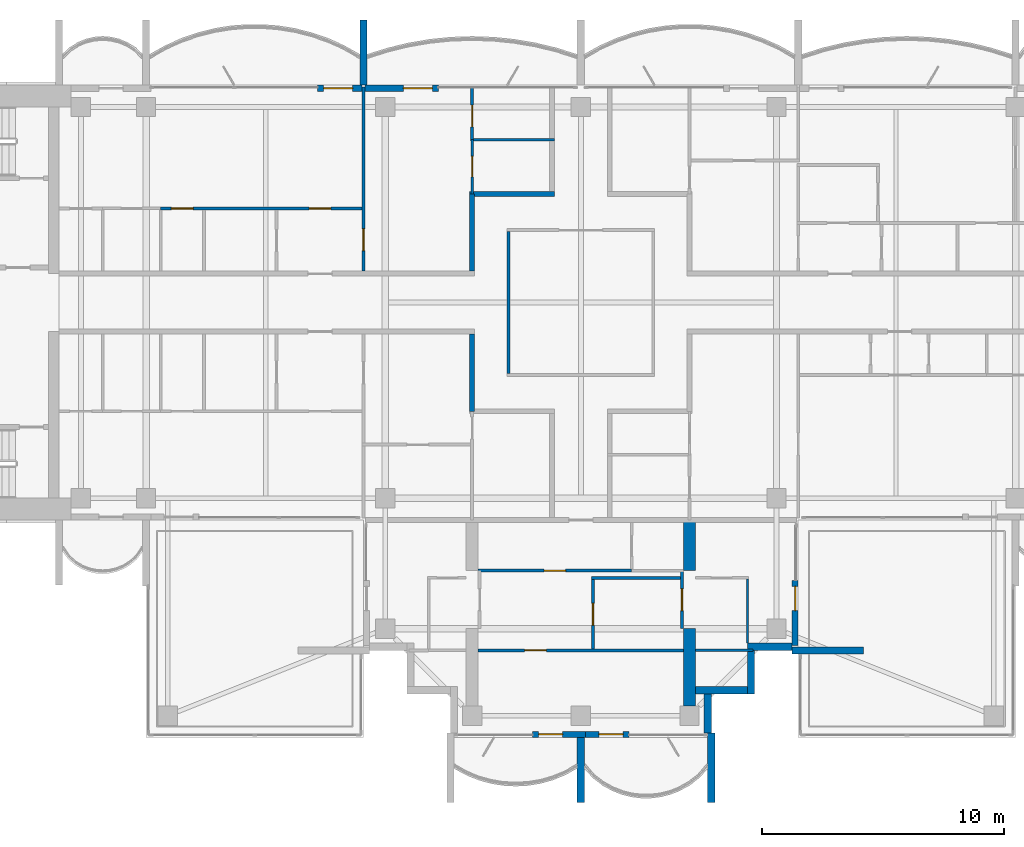
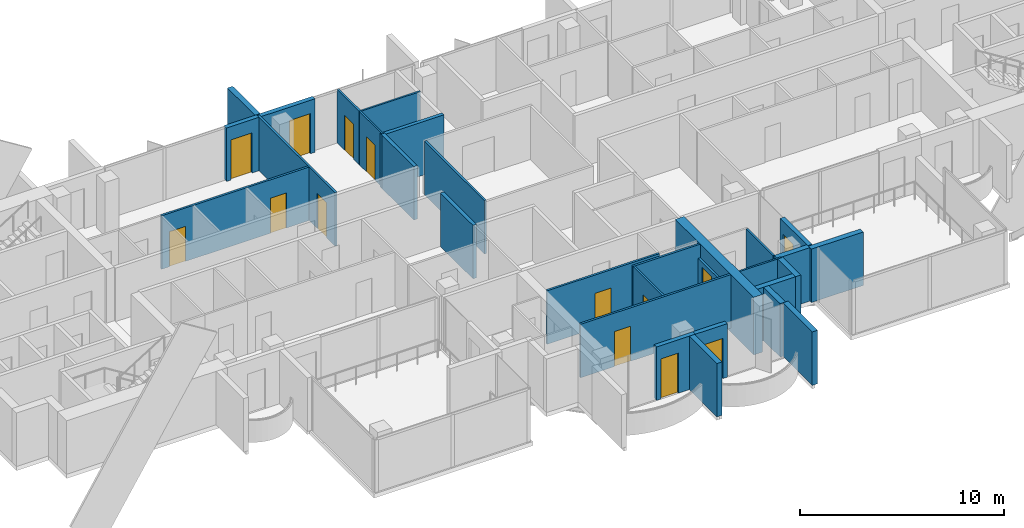
# One storey, part 10 of 18: 30 walls, 14 doors, 14 openings.
"""IFC4 building model written with IfcOpenShell, lengths in metres."""

from ifc_helpers import new_model, si_unit, direction, frame, frame_2d, origin, place, context, subcontext, project, spatial, polyline, rectangle, outline, extrude, material, layer, layer_set, material_profile, profile_set, type_object, element, fill, save


model = new_model("IFC4")

# Units and contexts
model_context = context("Model", 3, precision=1e-05, world=origin(), true_north=direction((0.0, 1.0)))
body_context = subcontext(model_context, "Body", "Model", "MODEL_VIEW")
ifc_project = project(units=[si_unit("LENGTHUNIT", "METRE"), si_unit("AREAUNIT", "SQUARE_METRE"), si_unit("VOLUMEUNIT", "CUBIC_METRE"), si_unit("PLANEANGLEUNIT", "RADIAN"), si_unit("MASSUNIT", "GRAM", prefix="KILO")], contexts=[model_context])

# Site, building, storey
site_placement = place(None, origin())
site = spatial("IfcSite", under=ifc_project, at=site_placement, CompositionType="ELEMENT")
building_placement = place(site_placement, origin())
building = spatial("IfcBuilding", under=site, at=building_placement, Name="Perihelion Cross Residences", CompositionType="ELEMENT")
storey_placement = place(building_placement, frame((0.0, 0.0, 281.5)))
storey = spatial("IfcBuildingStorey", under=building, at=storey_placement, Name="L72", CompositionType="ELEMENT", Elevation=281.5)

# Walls
ifc_material_1 = material(Name="Plasterboard partition")
ifc_layer_1 = layer(ifc_material_1, 0.199951171875)
ifc_layer_set_1 = layer_set([ifc_layer_1], Name="Apartment separation wall 200")
wall_type_1 = type_object("IfcWallType", Name="Apartment separation wall 200", PredefinedType="PARTITIONING", material=ifc_layer_set_1)
wall_1_placement = place(storey_placement, frame((-4.5, 1.300048828125, 0.0), z_axis=(0.0, 0.0, 1.0), x_axis=(0.0, 1.0, 0.0)))
element("IfcWall", 1, at=wall_1_placement, inside=storey, type_object=wall_type_1, Name="Partition L72 W014", PredefinedType="PARTITIONING", context=body_context, shape_type="SweptSolid", body=[
    extrude(rectangle(XDim=3.199951171875, YDim=0.199951171875, at=frame_2d((1.60009765625, 0.0))), origin(), (0.0, 0.0, 1.0), 3.199951171875),
])
wall_2_placement = place(storey_placement, frame((-4.60009765625, 4.5, 0.0), z_axis=(0.0, 0.0, 1.0), x_axis=(1.0, 0.0, 0.0)))
element("IfcWall", 2, at=wall_2_placement, inside=storey, type_object=wall_type_1, Name="Partition L72 W015", PredefinedType="PARTITIONING", context=body_context, shape_type="SweptSolid", body=[
    extrude(rectangle(XDim=3.5, YDim=0.199951171875, at=frame_2d((1.75, 0.0))), origin(), (0.0, 0.0, 1.0), 3.199951171875),
])
wall_3_placement = place(storey_placement, frame((-4.5, -4.5, 0.0), z_axis=(0.0, 0.0, 1.0), x_axis=(0.0, 1.0, 0.0)))
element("IfcWall", 3, at=wall_3_placement, inside=storey, type_object=wall_type_1, Name="Partition L72 W018", PredefinedType="PARTITIONING", context=body_context, shape_type="SweptSolid", body=[
    extrude(rectangle(XDim=3.199951171875, YDim=0.199951171875, at=frame_2d((1.60009765625, 0.0))), origin(), (0.0, 0.0, 1.0), 3.199951171875),
])

# Wall, opening, door
ifc_material_2 = material(Name="Concrete C30/37, bronze-clad", Category="concrete")
ifc_layer_2 = layer(ifc_material_2, 0.25)
ifc_layer_set_2 = layer_set([ifc_layer_2], Name="Bronze-clad pier wall 250")
wall_type_2 = type_object("IfcWallType", Name="Bronze-clad pier wall 250", PredefinedType="SOLIDWALL", material=ifc_layer_set_2)
wall_4_placement = place(storey_placement, frame((-5.89990234375, 8.875, 0.0), z_axis=(0.0, 0.0, 1.0), x_axis=(-1.0, 0.0, 0.0)))
wall_4 = element("IfcWall", 4, at=wall_4_placement, inside=storey, type_object=wall_type_2, Name="Wall FW1 L72 north side east bay 2 pier", PredefinedType="SOLIDWALL", context=body_context, shape_type="SweptSolid", body=[
    extrude(rectangle(XDim=3.0400390625, YDim=0.25, at=frame_2d((1.52001953125, 0.0))), origin(), (0.0, 0.0, 1.0), 3.199951171875),
])
opening_1_placement = place(wall_4_placement, frame((0.25, 0.0, 0.0)))
opening_1 = element("IfcOpeningElement", 5, at=opening_1_placement, cuts=wall_4, Name="Opening L72.E04", PredefinedType="OPENING", context=body_context, shape_type="SweptSolid", body=[
    extrude(rectangle(XDim=1.199951171875, YDim=2.39990234375, at=frame_2d((0.60009765625, 1.199951171875))), frame((0.0, 0.135009765625, 0.0), z_axis=(0.0, -1.0, 0.0), x_axis=(1.0, 0.0, 0.0)), (0.0, 0.0, 1.0), 0.27001953125),
])
ifc_material_3 = material(Name="Bronze anodised aluminium, glazed", Category="aluminium")
door_type_1 = type_object("IfcDoorType", Name="Balcony door 1200 x 2400", OperationType="NOTDEFINED", PredefinedType="DOOR", material=ifc_material_3)
door_1_placement = place(opening_1_placement, origin())
door_1 = element("IfcDoor", 6, at=door_1_placement, inside=storey, type_object=door_type_1, Name="Door L72.E04 north side east bay 2", OperationType="SINGLE_SWING_RIGHT", OverallHeight=2.39990234375, OverallWidth=1.199951171875, PredefinedType="DOOR", context=body_context, shape_type="SweptSolid", body=[
    extrude(rectangle(XDim=1.199951171875, YDim=2.39990234375, at=frame_2d((0.60009765625, 1.199951171875))), frame((0.0, 0.02490234375, 0.0), z_axis=(0.0, -1.0, 0.0), x_axis=(1.0, 0.0, 0.0)), (0.0, 0.0, 1.0), 0.050048828125),
])
fill(opening_1, door_1)

wall_5_placement = place(storey_placement, frame((-9.06005859375, 8.875, 0.0), z_axis=(0.0, 0.0, 1.0), x_axis=(-1.0, 0.0, 0.0)))
wall_5 = element("IfcWall", 7, at=wall_5_placement, inside=storey, type_object=wall_type_2, Name="Wall FW1 L72 west side north bay 1 pier", PredefinedType="SOLIDWALL", context=body_context, shape_type="SweptSolid", body=[
    extrude(rectangle(XDim=1.83984375, YDim=0.25, at=frame_2d((0.919921875, 0.0))), origin(), (0.0, 0.0, 1.0), 3.199951171875),
])
opening_2_placement = place(wall_5_placement, frame((0.389892578125, 0.0, 0.0)))
opening_2 = element("IfcOpeningElement", 8, at=opening_2_placement, cuts=wall_5, Name="Opening L72.E05", PredefinedType="OPENING", context=body_context, shape_type="SweptSolid", body=[
    extrude(rectangle(XDim=1.199951171875, YDim=2.39990234375, at=frame_2d((0.60009765625, 1.199951171875))), frame((0.0, 0.135009765625, 0.0), z_axis=(0.0, -1.0, 0.0), x_axis=(1.0, 0.0, 0.0)), (0.0, 0.0, 1.0), 0.27001953125),
])
door_2_placement = place(opening_2_placement, origin())
door_2 = element("IfcDoor", 9, at=door_2_placement, inside=storey, type_object=door_type_1, Name="Door L72.E05 west side north bay 1", OperationType="SINGLE_SWING_LEFT", OverallHeight=2.39990234375, OverallWidth=1.199951171875, PredefinedType="DOOR", context=body_context, shape_type="SweptSolid", body=[
    extrude(rectangle(XDim=1.199951171875, YDim=2.39990234375, at=frame_2d((0.60009765625, 1.199951171875))), frame((0.0, 0.02490234375, 0.0), z_axis=(0.0, -1.0, 0.0), x_axis=(1.0, 0.0, 0.0)), (0.0, 0.0, 1.0), 0.050048828125),
])
fill(opening_2, door_2)

wall_6_placement = place(storey_placement, frame((-2.0, -17.875, 0.0), z_axis=(0.0, 0.0, 1.0), x_axis=(1.0, 0.0, 0.0)))
wall_6 = element("IfcWall", 10, at=wall_6_placement, inside=storey, type_object=wall_type_2, Name="Wall FW1 L72 south tip south bay 1 pier", PredefinedType="SOLIDWALL", context=body_context, shape_type="SweptSolid", body=[
    extrude(rectangle(XDim=2.199951171875, YDim=0.25, at=frame_2d((1.10009765625, 0.0))), origin(), (0.0, 0.0, 1.0), 3.199951171875),
])
opening_3_placement = place(wall_6_placement, frame((0.25, 0.0, 0.0)))
opening_3 = element("IfcOpeningElement", 11, at=opening_3_placement, cuts=wall_6, Name="Opening L72.E10", PredefinedType="OPENING", context=body_context, shape_type="SweptSolid", body=[
    extrude(rectangle(XDim=1.0, YDim=2.39990234375, at=frame_2d((0.5, 1.199951171875))), frame((0.0, 0.135009765625, 0.0), z_axis=(0.0, -1.0, 0.0), x_axis=(1.0, 0.0, 0.0)), (0.0, 0.0, 1.0), 0.27001953125),
])
ifc_material_4 = material(Name="Bronze anodised aluminium, glazed", Category="aluminium")
door_type_2 = type_object("IfcDoorType", Name="Balcony door 1000 x 2400", OperationType="NOTDEFINED", PredefinedType="DOOR", material=ifc_material_4)
door_3_placement = place(opening_3_placement, origin())
door_3 = element("IfcDoor", 12, at=door_3_placement, inside=storey, type_object=door_type_2, Name="Door L72.E10 south tip south bay 1", OperationType="SINGLE_SWING_RIGHT", OverallHeight=2.39990234375, OverallWidth=1.0, PredefinedType="DOOR", context=body_context, shape_type="SweptSolid", body=[
    extrude(rectangle(XDim=1.0, YDim=2.39990234375, at=frame_2d((0.5, 1.199951171875))), frame((0.0, 0.02490234375, 0.0), z_axis=(0.0, -1.0, 0.0), x_axis=(1.0, 0.0, 0.0)), (0.0, 0.0, 1.0), 0.050048828125),
])
fill(opening_3, door_3)

wall_7_placement = place(storey_placement, frame((0.199951171875, -17.875, 0.0), z_axis=(0.0, 0.0, 1.0), x_axis=(1.0, 0.0, 0.0)))
wall_7 = element("IfcWall", 13, at=wall_7_placement, inside=storey, type_object=wall_type_2, Name="Wall FW1 L72 south tip south bay 2 pier", PredefinedType="SOLIDWALL", context=body_context, shape_type="SweptSolid", body=[
    extrude(rectangle(XDim=1.800048828125, YDim=0.25, at=frame_2d((0.89990234375, 0.0))), origin(), (0.0, 0.0, 1.0), 3.199951171875),
])
opening_4_placement = place(wall_7_placement, frame((0.550048828125, 0.0, 0.0)))
opening_4 = element("IfcOpeningElement", 14, at=opening_4_placement, cuts=wall_7, Name="Opening L72.E11", PredefinedType="OPENING", context=body_context, shape_type="SweptSolid", body=[
    extrude(rectangle(XDim=1.0, YDim=2.39990234375, at=frame_2d((0.5, 1.199951171875))), frame((0.0, 0.135009765625, 0.0), z_axis=(0.0, -1.0, 0.0), x_axis=(1.0, 0.0, 0.0)), (0.0, 0.0, 1.0), 0.27001953125),
])
door_4_placement = place(opening_4_placement, origin())
door_4 = element("IfcDoor", 15, at=door_4_placement, inside=storey, type_object=door_type_2, Name="Door L72.E11 south tip south bay 2", OperationType="SINGLE_SWING_LEFT", OverallHeight=2.39990234375, OverallWidth=1.0, PredefinedType="DOOR", context=body_context, shape_type="SweptSolid", body=[
    extrude(rectangle(XDim=1.0, YDim=2.39990234375, at=frame_2d((0.5, 1.199951171875))), frame((0.0, 0.02490234375, 0.0), z_axis=(0.0, -1.0, 0.0), x_axis=(1.0, 0.0, 0.0)), (0.0, 0.0, 1.0), 0.050048828125),
])
fill(opening_4, door_4)

wall_8_placement = place(storey_placement, frame((8.875, -14.199951171875, 0.0), z_axis=(0.0, 0.0, 1.0), x_axis=(0.0, 1.0, 0.0)))
wall_8 = element("IfcWall", 16, at=wall_8_placement, inside=storey, type_object=wall_type_2, Name="Wall FW1 L72 south side east bay 1 pier", PredefinedType="SOLIDWALL", context=body_context, shape_type="SweptSolid", body=[
    extrude(rectangle(XDim=2.699951171875, YDim=0.25, at=frame_2d((1.35009765625, 0.0))), origin(), (0.0, 0.0, 1.0), 3.199951171875),
])
opening_5_placement = place(wall_8_placement, frame((1.449951171875, 0.0, 0.0)))
opening_5 = element("IfcOpeningElement", 17, at=opening_5_placement, cuts=wall_8, Name="Opening L72.E12", PredefinedType="OPENING", context=body_context, shape_type="SweptSolid", body=[
    extrude(rectangle(XDim=1.0, YDim=2.39990234375, at=frame_2d((0.5, 1.199951171875))), frame((0.0, 0.135009765625, 0.0), z_axis=(0.0, -1.0, 0.0), x_axis=(1.0, 0.0, 0.0)), (0.0, 0.0, 1.0), 0.27001953125),
])
door_5_placement = place(opening_5_placement, origin())
door_5 = element("IfcDoor", 18, at=door_5_placement, inside=storey, type_object=door_type_2, Name="Door L72.E12 south side east bay 1", OperationType="SINGLE_SWING_RIGHT", OverallHeight=2.39990234375, OverallWidth=1.0, PredefinedType="DOOR", context=body_context, shape_type="SweptSolid", body=[
    extrude(rectangle(XDim=1.0, YDim=2.39990234375, at=frame_2d((0.5, 1.199951171875))), frame((0.0, 0.02490234375, 0.0), z_axis=(0.0, -1.0, 0.0), x_axis=(1.0, 0.0, 0.0)), (0.0, 0.0, 1.0), 0.050048828125),
])
fill(opening_5, door_5)

# Walls
ifc_material_5 = material(Name="Concrete C30/37, bronze-clad", Category="concrete")
ifc_layer_3 = layer(ifc_material_5, 0.300048828125)
ifc_layer_set_3 = layer_set([ifc_layer_3], Name="Bronze-clad serration wall 300")
wall_type_3 = type_object("IfcWallType", Name="Bronze-clad serration wall 300", PredefinedType="SOLIDWALL", material=ifc_layer_set_3)
wall_9_placement = place(storey_placement, frame((5.25, -17.820068359375, 0.0), z_axis=(0.0, 0.0, 1.0), x_axis=(0.0, 1.0, 0.0)))
element("IfcWall", 19, at=wall_9_placement, inside=storey, type_object=wall_type_3, Name="Wall SR1 L72 south corner south-east 1", PredefinedType="SOLIDWALL", context=body_context, shape_type="SweptSolid", body=[
    extrude(rectangle(XDim=1.6201171875, YDim=0.300048828125, at=frame_2d((0.81005859375, 0.0))), origin(), (0.0, 0.0, 1.0), 3.199951171875),
])
wall_10_placement = place(storey_placement, frame((4.75, -16.050048828125, 0.0), z_axis=(0.0, 0.0, 1.0), x_axis=(1.0, 0.0, 0.0)))
element("IfcWall", 20, at=wall_10_placement, inside=storey, type_object=wall_type_3, Name="Wall SR1 L72 south corner south-east 2", PredefinedType="SOLIDWALL", context=body_context, shape_type="SweptSolid", body=[
    extrude(rectangle(XDim=2.14990234375, YDim=0.300048828125, at=frame_2d((1.074951171875, 0.0))), origin(), (0.0, 0.0, 1.0), 3.199951171875),
])
wall_11_placement = place(storey_placement, frame((7.050048828125, -16.199951171875, 0.0), z_axis=(0.0, 0.0, 1.0), x_axis=(0.0, 1.0, 0.0)))
element("IfcWall", 21, at=wall_11_placement, inside=storey, type_object=wall_type_3, Name="Wall SR1 L72 south corner south-east 3", PredefinedType="SOLIDWALL", context=body_context, shape_type="SweptSolid", body=[
    extrude(rectangle(XDim=1.800048828125, YDim=0.300048828125, at=frame_2d((0.89990234375, 0.0))), origin(), (0.0, 0.0, 1.0), 3.199951171875),
])
wall_12_placement = place(storey_placement, frame((6.89990234375, -14.25, 0.0), z_axis=(0.0, 0.0, 1.0), x_axis=(1.0, 0.0, 0.0)))
element("IfcWall", 22, at=wall_12_placement, inside=storey, type_object=wall_type_3, Name="Wall SR1 L72 south corner south-east 4", PredefinedType="SOLIDWALL", context=body_context, shape_type="SweptSolid", body=[
    extrude(rectangle(XDim=1.85009765625, YDim=0.300048828125, at=frame_2d((0.925048828125, 0.0))), origin(), (0.0, 0.0, 1.0), 3.199951171875),
])

# Wall, opening, door
ifc_material_6 = material(Name="Plasterboard partition")
ifc_layer_4 = layer(ifc_material_6, 0.1201171875)
ifc_layer_set_4 = layer_set([ifc_layer_4], Name="Infill panel 120")
wall_type_4 = type_object("IfcWallType", Name="Infill panel 120", PredefinedType="PARTITIONING", material=ifc_layer_set_4)
wall_13_placement = place(storey_placement, frame((4.18994140625, -11.10009765625, 0.0), z_axis=(0.0, 0.0, 1.0), x_axis=(0.0, -1.0, 0.0)))
wall_13 = element("IfcWall", 23, at=wall_13_placement, inside=storey, type_object=wall_type_4, Name="Partition L72 WI01", PredefinedType="PARTITIONING", context=body_context, shape_type="SweptSolid", body=[
    extrude(rectangle(XDim=2.39990234375, YDim=0.1201171875, at=frame_2d((1.199951171875, 0.0))), origin(), (0.0, 0.0, 1.0), 2.39990234375),
])
opening_6_placement = place(wall_13_placement, frame((0.75, 0.0, 0.0)))
opening_6 = element("IfcOpeningElement", 24, at=opening_6_placement, cuts=wall_13, Name="Opening L72.A46", PredefinedType="OPENING", context=body_context, shape_type="SweptSolid", body=[
    extrude(rectangle(XDim=0.89990234375, YDim=2.10009765625, at=frame_2d((0.449951171875, 1.050048828125))), frame((0.0, 0.070068359375, 0.0), z_axis=(0.0, -1.0, 0.0), x_axis=(1.0, 0.0, 0.0)), (0.0, 0.0, 1.0), 0.14013671875),
])
ifc_material_7 = material(Name="Timber door leaf", Category="wood")
door_type_3 = type_object("IfcDoorType", Name="Interior room door 900 x 2100", OperationType="SINGLE_SWING_LEFT", PredefinedType="DOOR", material=ifc_material_7)
door_6_placement = place(opening_6_placement, origin())
door_6 = element("IfcDoor", 25, at=door_6_placement, inside=storey, type_object=door_type_3, Name="Door L72.A46", OperationType="SINGLE_SWING_LEFT", OverallHeight=2.10009765625, OverallWidth=0.89990234375, PredefinedType="DOOR", context=body_context, shape_type="SweptSolid", body=[
    extrude(rectangle(XDim=0.89990234375, YDim=2.10009765625, at=frame_2d((0.449951171875, 1.050048828125))), frame((0.0, 0.02490234375, 0.0), z_axis=(0.0, -1.0, 0.0), x_axis=(1.0, 0.0, 0.0)), (0.0, 0.0, 1.0), 0.050048828125),
])
fill(opening_6, door_6)

# Wall
ifc_material_8 = material(Name="Plasterboard partition")
ifc_layer_5 = layer(ifc_material_8, 0.1201171875)
ifc_layer_set_5 = layer_set([ifc_layer_5], Name="Partition wall 120")
wall_type_5 = type_object("IfcWallType", Name="Partition wall 120", PredefinedType="PARTITIONING", material=ifc_layer_set_5)
wall_14_placement = place(storey_placement, frame((-3.0, 2.93994140625, 0.0), z_axis=(0.0, 0.0, 1.0), x_axis=(0.0, -1.0, 0.0)))
element("IfcWall", 26, at=wall_14_placement, inside=storey, type_object=wall_type_5, Name="Partition L72 W004", PredefinedType="PARTITIONING", context=body_context, shape_type="SweptSolid", body=[
    extrude(rectangle(XDim=5.8798828125, YDim=0.1201171875, at=frame_2d((2.93994140625, 0.0))), origin(), (0.0, 0.0, 1.0), 3.199951171875),
])

# Wall, openings, doors
wall_15_placement = place(storey_placement, frame((-17.39990234375, 3.89990234375, 0.0), z_axis=(0.0, 0.0, 1.0), x_axis=(1.0, 0.0, 0.0)))
wall_15 = element("IfcWall", 27, at=wall_15_placement, inside=storey, type_object=wall_type_5, Name="Partition L72 W047", PredefinedType="PARTITIONING", context=body_context, shape_type="SweptSolid", body=[
    extrude(rectangle(XDim=8.4599609375, YDim=0.1201171875, at=frame_2d((4.22998046875, 0.0))), origin(), (0.0, 0.0, 1.0), 3.199951171875),
])
opening_7_placement = place(wall_15_placement, frame((0.449951171875, 0.0, 0.0)))
opening_7 = element("IfcOpeningElement", 28, at=opening_7_placement, cuts=wall_15, Name="Opening L72.A22", PredefinedType="OPENING", context=body_context, shape_type="SweptSolid", body=[
    extrude(rectangle(XDim=0.89990234375, YDim=2.10009765625, at=frame_2d((0.449951171875, 1.050048828125))), frame((0.0, 0.070068359375, 0.0), z_axis=(0.0, -1.0, 0.0), x_axis=(1.0, 0.0, 0.0)), (0.0, 0.0, 1.0), 0.14013671875),
])
opening_8_placement = place(wall_15_placement, frame((6.14990234375, 0.0, 0.0)))
opening_8 = element("IfcOpeningElement", 29, at=opening_8_placement, cuts=wall_15, Name="Opening L72.A26", PredefinedType="OPENING", context=body_context, shape_type="SweptSolid", body=[
    extrude(rectangle(XDim=0.89990234375, YDim=2.10009765625, at=frame_2d((0.449951171875, 1.050048828125))), frame((0.0, 0.070068359375, 0.0), z_axis=(0.0, -1.0, 0.0), x_axis=(1.0, 0.0, 0.0)), (0.0, 0.0, 1.0), 0.14013671875),
])
door_7_placement = place(opening_7_placement, origin())
door_7 = element("IfcDoor", 30, at=door_7_placement, inside=storey, type_object=door_type_3, Name="Door L72.A22", OperationType="SINGLE_SWING_RIGHT", OverallHeight=2.10009765625, OverallWidth=0.89990234375, PredefinedType="DOOR", context=body_context, shape_type="SweptSolid", body=[
    extrude(rectangle(XDim=0.89990234375, YDim=2.10009765625, at=frame_2d((0.449951171875, 1.050048828125))), frame((0.0, 0.02490234375, 0.0), z_axis=(0.0, -1.0, 0.0), x_axis=(1.0, 0.0, 0.0)), (0.0, 0.0, 1.0), 0.050048828125),
])
fill(opening_7, door_7)
door_8_placement = place(opening_8_placement, origin())
door_8 = element("IfcDoor", 31, at=door_8_placement, inside=storey, type_object=door_type_3, Name="Door L72.A26", OperationType="SINGLE_SWING_RIGHT", OverallHeight=2.10009765625, OverallWidth=0.89990234375, PredefinedType="DOOR", context=body_context, shape_type="SweptSolid", body=[
    extrude(rectangle(XDim=0.89990234375, YDim=2.10009765625, at=frame_2d((0.449951171875, 1.050048828125))), frame((0.0, 0.02490234375, 0.0), z_axis=(0.0, -1.0, 0.0), x_axis=(1.0, 0.0, 0.0)), (0.0, 0.0, 1.0), 0.050048828125),
])
fill(opening_8, door_8)

# Wall, opening, door
wall_16_placement = place(storey_placement, frame((-9.0, 8.919921875, 0.0), z_axis=(0.0, 0.0, 1.0), x_axis=(0.0, -1.0, 0.0)))
wall_16 = element("IfcWall", 32, at=wall_16_placement, inside=storey, type_object=wall_type_5, Name="Partition L72 W048", PredefinedType="PARTITIONING", context=body_context, shape_type="SweptSolid", body=[
    extrude(rectangle(XDim=7.619873046875, YDim=0.1201171875, at=frame_2d((3.81005859375, 0.0))), origin(), (0.0, 0.0, 1.0), 3.199951171875),
])
opening_9_placement = place(wall_16_placement, frame((5.8701171875, 0.0, 0.0)))
opening_9 = element("IfcOpeningElement", 33, at=opening_9_placement, cuts=wall_16, Name="Opening L72.A24", PredefinedType="OPENING", context=body_context, shape_type="SweptSolid", body=[
    extrude(rectangle(XDim=0.89990234375, YDim=2.10009765625, at=frame_2d((0.449951171875, 1.050048828125))), frame((0.0, 0.070068359375, 0.0), z_axis=(0.0, -1.0, 0.0), x_axis=(1.0, 0.0, 0.0)), (0.0, 0.0, 1.0), 0.14013671875),
])
door_9_placement = place(opening_9_placement, origin())
door_9 = element("IfcDoor", 34, at=door_9_placement, inside=storey, type_object=door_type_3, Name="Door L72.A24", OperationType="SINGLE_SWING_RIGHT", OverallHeight=2.10009765625, OverallWidth=0.89990234375, PredefinedType="DOOR", context=body_context, shape_type="SweptSolid", body=[
    extrude(rectangle(XDim=0.89990234375, YDim=2.10009765625, at=frame_2d((0.449951171875, 1.050048828125))), frame((0.0, 0.02490234375, 0.0), z_axis=(0.0, -1.0, 0.0), x_axis=(1.0, 0.0, 0.0)), (0.0, 0.0, 1.0), 0.050048828125),
])
fill(opening_9, door_9)

wall_17_placement = place(storey_placement, frame((-4.5, 8.919921875, 0.0), z_axis=(0.0, 0.0, 1.0), x_axis=(0.0, -1.0, 0.0)))
wall_17 = element("IfcWall", 35, at=wall_17_placement, inside=storey, type_object=wall_type_5, Name="Partition L72 W055", PredefinedType="PARTITIONING", context=body_context, shape_type="SweptSolid", body=[
    extrude(rectangle(XDim=2.169921875, YDim=0.1201171875, at=frame_2d((1.0849609375, 0.0))), origin(), (0.0, 0.0, 1.0), 3.199951171875),
])
opening_10_placement = place(wall_17_placement, frame((0.7451171875, 0.0, 0.0)))
opening_10 = element("IfcOpeningElement", 36, at=opening_10_placement, cuts=wall_17, Name="Opening L72.A23", PredefinedType="OPENING", context=body_context, shape_type="SweptSolid", body=[
    extrude(rectangle(XDim=0.89990234375, YDim=2.10009765625, at=frame_2d((0.449951171875, 1.050048828125))), frame((0.0, 0.070068359375, 0.0), z_axis=(0.0, -1.0, 0.0), x_axis=(1.0, 0.0, 0.0)), (0.0, 0.0, 1.0), 0.14013671875),
])
door_10_placement = place(opening_10_placement, origin())
door_10 = element("IfcDoor", 37, at=door_10_placement, inside=storey, type_object=door_type_3, Name="Door L72.A23", OperationType="SINGLE_SWING_LEFT", OverallHeight=2.10009765625, OverallWidth=0.89990234375, PredefinedType="DOOR", context=body_context, shape_type="SweptSolid", body=[
    extrude(rectangle(XDim=0.89990234375, YDim=2.10009765625, at=frame_2d((0.449951171875, 1.050048828125))), frame((0.0, 0.02490234375, 0.0), z_axis=(0.0, -1.0, 0.0), x_axis=(1.0, 0.0, 0.0)), (0.0, 0.0, 1.0), 0.050048828125),
])
fill(opening_10, door_10)

wall_18_placement = place(storey_placement, frame((2.10009765625, -11.10009765625, 0.0), z_axis=(0.0, 0.0, 1.0), x_axis=(-1.0, 0.0, 0.0)))
wall_18 = element("IfcWall", 38, at=wall_18_placement, inside=storey, type_object=wall_type_5, Name="Partition L72 W068", PredefinedType="PARTITIONING", context=body_context, shape_type="SweptSolid", body=[
    extrude(rectangle(XDim=6.35009765625, YDim=0.1201171875, at=frame_2d((3.175048828125, 0.0))), origin(), (0.0, 0.0, 1.0), 3.199951171875),
])
opening_11_placement = place(wall_18_placement, frame((2.72509765625, 0.0, 0.0)))
opening_11 = element("IfcOpeningElement", 39, at=opening_11_placement, cuts=wall_18, Name="Opening L72.A37", PredefinedType="OPENING", context=body_context, shape_type="SweptSolid", body=[
    extrude(rectangle(XDim=0.89990234375, YDim=2.10009765625, at=frame_2d((0.449951171875, 1.050048828125))), frame((0.0, 0.070068359375, 0.0), z_axis=(0.0, -1.0, 0.0), x_axis=(1.0, 0.0, 0.0)), (0.0, 0.0, 1.0), 0.14013671875),
])
door_11_placement = place(opening_11_placement, origin())
door_11 = element("IfcDoor", 40, at=door_11_placement, inside=storey, type_object=door_type_3, Name="Door L72.A37", OperationType="SINGLE_SWING_LEFT", OverallHeight=2.10009765625, OverallWidth=0.89990234375, PredefinedType="DOOR", context=body_context, shape_type="SweptSolid", body=[
    extrude(rectangle(XDim=0.89990234375, YDim=2.10009765625, at=frame_2d((0.449951171875, 1.050048828125))), frame((0.0, 0.02490234375, 0.0), z_axis=(0.0, -1.0, 0.0), x_axis=(1.0, 0.0, 0.0)), (0.0, 0.0, 1.0), 0.050048828125),
])
fill(opening_11, door_11)

# Wall
wall_19_placement = place(storey_placement, frame((4.25, -11.39990234375, 0.0), z_axis=(0.0, 0.0, 1.0), x_axis=(-1.0, 0.0, 0.0)))
element("IfcWall", 41, at=wall_19_placement, inside=storey, type_object=wall_type_5, Name="Partition L72 W070", PredefinedType="PARTITIONING", context=body_context, shape_type="SweptSolid", body=[
    extrude(rectangle(XDim=3.81005859375, YDim=0.1201171875, at=frame_2d((1.905029296875, 0.0))), origin(), (0.0, 0.0, 1.0), 3.199951171875),
])

# Wall, opening, door
wall_20_placement = place(storey_placement, frame((0.5, -11.4599609375, 0.0), z_axis=(0.0, 0.0, 1.0), x_axis=(0.0, -1.0, 0.0)))
wall_20 = element("IfcWall", 42, at=wall_20_placement, inside=storey, type_object=wall_type_5, Name="Partition L72 W071", PredefinedType="PARTITIONING", context=body_context, shape_type="SweptSolid", body=[
    extrude(rectangle(XDim=2.880126953125, YDim=0.1201171875, at=frame_2d((1.43994140625, 0.0))), origin(), (0.0, 0.0, 1.0), 3.199951171875),
])
opening_12_placement = place(wall_20_placement, frame((0.989990234375, 0.0, 0.0)))
opening_12 = element("IfcOpeningElement", 43, at=opening_12_placement, cuts=wall_20, Name="Opening L72.A38", PredefinedType="OPENING", context=body_context, shape_type="SweptSolid", body=[
    extrude(rectangle(XDim=0.89990234375, YDim=2.10009765625, at=frame_2d((0.449951171875, 1.050048828125))), frame((0.0, 0.070068359375, 0.0), z_axis=(0.0, -1.0, 0.0), x_axis=(1.0, 0.0, 0.0)), (0.0, 0.0, 1.0), 0.14013671875),
])
door_12_placement = place(opening_12_placement, origin())
door_12 = element("IfcDoor", 44, at=door_12_placement, inside=storey, type_object=door_type_3, Name="Door L72.A38", OperationType="SINGLE_SWING_LEFT", OverallHeight=2.10009765625, OverallWidth=0.89990234375, PredefinedType="DOOR", context=body_context, shape_type="SweptSolid", body=[
    extrude(rectangle(XDim=0.89990234375, YDim=2.10009765625, at=frame_2d((0.449951171875, 1.050048828125))), frame((0.0, 0.02490234375, 0.0), z_axis=(0.0, -1.0, 0.0), x_axis=(1.0, 0.0, 0.0)), (0.0, 0.0, 1.0), 0.050048828125),
])
fill(opening_12, door_12)

wall_21_placement = place(storey_placement, frame((4.25, -14.39990234375, 0.0), z_axis=(0.0, 0.0, 1.0), x_axis=(-1.0, 0.0, 0.0)))
wall_21 = element("IfcWall", 45, at=wall_21_placement, inside=storey, type_object=wall_type_5, Name="Partition L72 W072", PredefinedType="PARTITIONING", context=body_context, shape_type="SweptSolid", body=[
    extrude(rectangle(XDim=8.5, YDim=0.1201171875, at=frame_2d((4.25, 0.0))), origin(), (0.0, 0.0, 1.0), 3.199951171875),
])
opening_13_placement = place(wall_21_placement, frame((5.675048828125, 0.0, 0.0)))
opening_13 = element("IfcOpeningElement", 46, at=opening_13_placement, cuts=wall_21, Name="Opening L72.A39", PredefinedType="OPENING", context=body_context, shape_type="SweptSolid", body=[
    extrude(rectangle(XDim=0.89990234375, YDim=2.10009765625, at=frame_2d((0.449951171875, 1.050048828125))), frame((0.0, 0.070068359375, 0.0), z_axis=(0.0, -1.0, 0.0), x_axis=(1.0, 0.0, 0.0)), (0.0, 0.0, 1.0), 0.14013671875),
])
door_13_placement = place(opening_13_placement, origin())
door_13 = element("IfcDoor", 47, at=door_13_placement, inside=storey, type_object=door_type_3, Name="Door L72.A39", OperationType="SINGLE_SWING_LEFT", OverallHeight=2.10009765625, OverallWidth=0.89990234375, PredefinedType="DOOR", context=body_context, shape_type="SweptSolid", body=[
    extrude(rectangle(XDim=0.89990234375, YDim=2.10009765625, at=frame_2d((0.449951171875, 1.050048828125))), frame((0.0, 0.02490234375, 0.0), z_axis=(0.0, -1.0, 0.0), x_axis=(1.0, 0.0, 0.0)), (0.0, 0.0, 1.0), 0.050048828125),
])
fill(opening_13, door_13)

# Walls
ifc_material_9 = material(Name="Precast concrete C50/60", Category="concrete")
ifc_layer_6 = layer(ifc_material_9, 0.300048828125)
ifc_layer_set_6 = layer_set([ifc_layer_6], Name="Precast concrete C50/60 blade wall 300")
wall_type_6 = type_object("IfcWallType", Name="Precast concrete C50/60 blade wall 300", PredefinedType="SOLIDWALL", material=ifc_layer_set_6)
for number, where, z_axis, x_axis, name in (
    (48, (-9.0, 9.0, 0.0), (0.0, 0.0, 1.0), (0.0, 1.0, 0.0), "Wall BL1 L72 no. 7"),
    (49, (0.0, -18.0, 0.0), (0.0, 0.0, 1.0), (0.0, -1.0, 0.0), "Wall BL1 L72 no. 8"),
):
    element("IfcWall", number, at=place(storey_placement, frame(where, z_axis=z_axis, x_axis=x_axis)), inside=storey, type_object=wall_type_6, Name=name, PredefinedType="SOLIDWALL", context=body_context, shape_type="SweptSolid", body=[
        extrude(rectangle(XDim=2.699951171875, YDim=0.300048828125, at=frame_2d((1.35009765625, 0.0))), origin(), (0.0, 0.0, 1.0), 3.199951171875),
    ])
wall_22_placement = place(storey_placement, frame((5.39990234375, -17.820068359375, 0.0), z_axis=(0.0, 0.0, 1.0), x_axis=(0.0, -1.0, 0.0)))
element("IfcWall", 50, at=wall_22_placement, inside=storey, type_object=wall_type_6, Name="Wall BL1 L72 no. 14", PredefinedType="SOLIDWALL", context=body_context, shape_type="SweptSolid", body=[
    extrude(rectangle(XDim=2.8798828125, YDim=0.300048828125, at=frame_2d((1.43994140625, 0.0))), origin(), (0.0, 0.0, 1.0), 3.199951171875),
])
wall_23_placement = place(storey_placement, frame((8.75, -14.39990234375, 0.0), z_axis=(0.0, 0.0, 1.0), x_axis=(1.0, 0.0, 0.0)))
element("IfcWall", 51, at=wall_23_placement, inside=storey, type_object=wall_type_6, Name="Wall BL1 L72 no. 15", PredefinedType="SOLIDWALL", context=body_context, shape_type="SweptSolid", body=[
    extrude(rectangle(XDim=2.949951171875, YDim=0.300048828125, at=frame_2d((1.47509765625, 0.0))), origin(), (0.0, 0.0, 1.0), 3.199951171875),
])
ifc_material_10 = material(Name="Concrete C50/60", Category="concrete")
ifc_material_profile = material_profile(ifc_material_10, outline(polyline([(0.0, 0.0), (3.199951171875, 0.0), (3.199951171875, 2.64990234375), (5.60009765625, 2.64990234375), (5.60009765625, 0.0), (7.699951171875, 0.0), (7.699951171875, 3.449951171875), (0.0, 3.449951171875), (0.0, 0.0)])), Name="Tip spine wall")
ifc_profile_set = profile_set([ifc_material_profile], Name="Concrete C50/60")
wall_type_7 = type_object("IfcWallType", Name="Tip spine wall 500 with 1 door openings 7700 long 3450 high concrete C50/60", PredefinedType="SHEAR", material=ifc_profile_set)
wall_24_placement = place(storey_placement, frame((4.25, -16.699951171875, -0.25), z_axis=(1.0, 0.0, 0.0), x_axis=(0.0, 1.0, 0.0)))
element("IfcWall", 52, at=wall_24_placement, inside=storey, type_object=wall_type_7, Name="Shear wall SW46 L72 south east", PredefinedType="SHEAR", context=body_context, shape_type="SweptSolid", body=[
    extrude(outline(polyline([(0.0, 0.0), (3.199951171875, 0.0), (3.199951171875, 2.64990234375), (5.60009765625, 2.64990234375), (5.60009765625, 0.0), (7.699951171875, 0.0), (7.699951171875, 3.449951171875), (0.0, 3.449951171875), (0.0, 0.0)])), origin(), (0.0, 0.0, 1.0), 0.5),
])

# Wall, opening, door
ifc_material_11 = material(Name="Plasterboard partition")
ifc_layer_7 = layer(ifc_material_11, 0.10009765625)
ifc_layer_set_7 = layer_set([ifc_layer_7], Name="Wet room wall 100")
wall_type_8 = type_object("IfcWallType", Name="Wet room wall 100", PredefinedType="PARTITIONING", material=ifc_layer_set_7)
wall_25_placement = place(storey_placement, frame((-4.5, 6.75, 0.0), z_axis=(0.0, 0.0, 1.0), x_axis=(0.0, -1.0, 0.0)))
wall_25 = element("IfcWall", 53, at=wall_25_placement, inside=storey, type_object=wall_type_8, Name="Partition L72 W054", PredefinedType="PARTITIONING", context=body_context, shape_type="SweptSolid", body=[
    extrude(rectangle(XDim=2.25, YDim=0.10009765625, at=frame_2d((1.125, 0.0))), origin(), (0.0, 0.0, 1.0), 3.199951171875),
])
opening_14_placement = place(wall_25_placement, frame((0.699951171875, 0.0, 0.0)))
opening_14 = element("IfcOpeningElement", 54, at=opening_14_placement, cuts=wall_25, Name="Opening L72.A25", PredefinedType="OPENING", context=body_context, shape_type="SweptSolid", body=[
    extrude(rectangle(XDim=0.85009765625, YDim=2.10009765625, at=frame_2d((0.425048828125, 1.050048828125))), frame((0.0, 0.06005859375, 0.0), z_axis=(0.0, -1.0, 0.0), x_axis=(1.0, 0.0, 0.0)), (0.0, 0.0, 1.0), 0.1201171875),
])
ifc_material_12 = material(Name="Timber door leaf", Category="wood")
door_type_4 = type_object("IfcDoorType", Name="Interior bathroom door 850 x 2100", OperationType="SINGLE_SWING_LEFT", PredefinedType="DOOR", material=ifc_material_12)
door_14_placement = place(opening_14_placement, origin())
door_14 = element("IfcDoor", 55, at=door_14_placement, inside=storey, type_object=door_type_4, Name="Door L72.A25", OperationType="SINGLE_SWING_LEFT", OverallHeight=2.10009765625, OverallWidth=0.85009765625, PredefinedType="DOOR", context=body_context, shape_type="SweptSolid", body=[
    extrude(rectangle(XDim=0.85009765625, YDim=2.10009765625, at=frame_2d((0.425048828125, 1.050048828125))), frame((0.0, 0.02490234375, 0.0), z_axis=(0.0, -1.0, 0.0), x_axis=(1.0, 0.0, 0.0)), (0.0, 0.0, 1.0), 0.050048828125),
])
fill(opening_14, door_14)

# Walls
wall_26_placement = place(storey_placement, frame((-4.56005859375, 6.75, 0.0), z_axis=(0.0, 0.0, 1.0), x_axis=(1.0, 0.0, 0.0)))
element("IfcWall", 56, at=wall_26_placement, inside=storey, type_object=wall_type_8, Name="Partition L72 W056", PredefinedType="PARTITIONING", context=body_context, shape_type="SweptSolid", body=[
    extrude(rectangle(XDim=3.4599609375, YDim=0.10009765625, at=frame_2d((1.72998046875, 0.0))), origin(), (0.0, 0.0, 1.0), 3.199951171875),
])
wall_27_placement = place(storey_placement, frame((6.89990234375, -14.10009765625, 0.0), z_axis=(0.0, 0.0, 1.0), x_axis=(0.0, 1.0, 0.0)))
element("IfcWall", 57, at=wall_27_placement, inside=storey, type_object=wall_type_8, Name="Partition L72 W073", PredefinedType="PARTITIONING", context=body_context, shape_type="SweptSolid", body=[
    extrude(rectangle(XDim=2.650146484375, YDim=0.10009765625, at=frame_2d((1.3251953125, 0.0))), origin(), (0.0, 0.0, 1.0), 3.199951171875),
])
wall_28_placement = place(storey_placement, frame((7.1201171875, -14.39990234375, 0.0), z_axis=(0.0, 0.0, 1.0), x_axis=(-1.0, 0.0, 0.0)))
element("IfcWall", 58, at=wall_28_placement, inside=storey, type_object=wall_type_8, Name="Partition L72 W075", PredefinedType="PARTITIONING", context=body_context, shape_type="SweptSolid", body=[
    extrude(rectangle(XDim=2.3701171875, YDim=0.10009765625, at=frame_2d((1.18505859375, 0.0))), origin(), (0.0, 0.0, 1.0), 3.199951171875),
])

save(model, "model.ifc")
